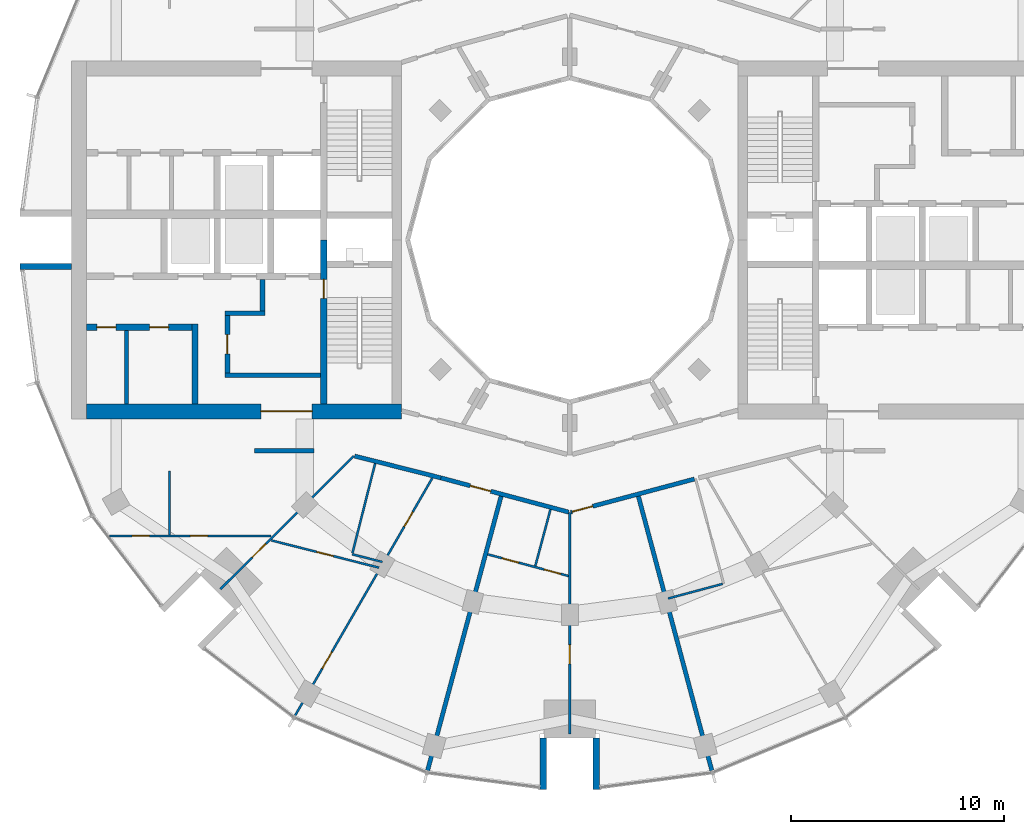
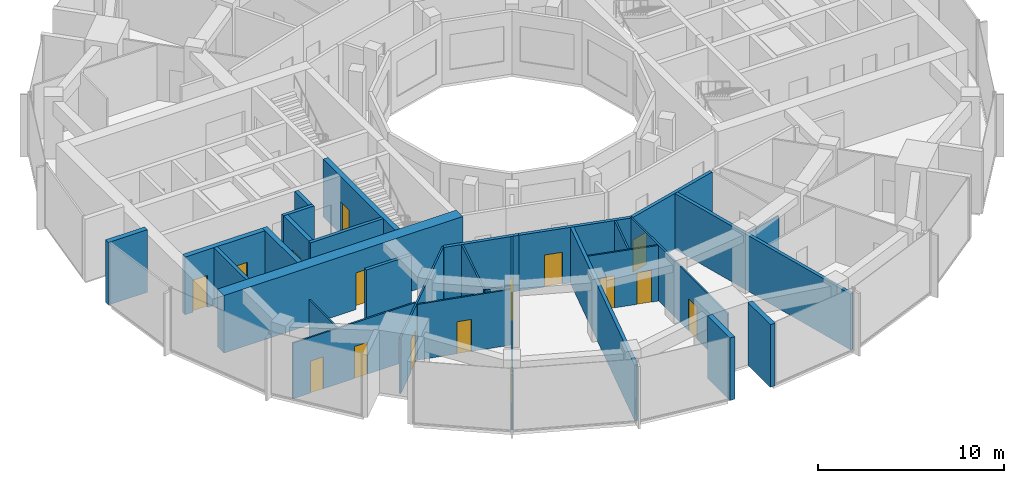
# One storey, part 8 of 15: 29 walls, 16 doors, 16 openings.
"""IFC4 building model written with IfcOpenShell, lengths in metres."""

from ifc_helpers import new_model, si_unit, direction, frame, frame_2d, origin, place, context, subcontext, project, spatial, rectangle, extrude, material, layer, layer_set, type_object, element, fill, save


model = new_model("IFC4")

# Units and contexts
model_context = context("Model", 3, precision=1e-05, world=origin(), true_north=direction((0.0, 1.0)))
body_context = subcontext(model_context, "Body", "Model", "MODEL_VIEW")
ifc_project = project(units=[si_unit("LENGTHUNIT", "METRE"), si_unit("AREAUNIT", "SQUARE_METRE"), si_unit("VOLUMEUNIT", "CUBIC_METRE"), si_unit("PLANEANGLEUNIT", "RADIAN"), si_unit("MASSUNIT", "GRAM", prefix="KILO")], contexts=[model_context])

# Site, building, storey
site_placement = place(None, origin())
site = spatial("IfcSite", under=ifc_project, at=site_placement, CompositionType="ELEMENT")
building_placement = place(site_placement, origin())
building = spatial("IfcBuilding", under=site, at=building_placement, Name="Torre Brocal", CompositionType="ELEMENT")
storey_placement = place(building_placement, frame((0.0, 0.0, 190.5)))
storey = spatial("IfcBuildingStorey", under=building, at=storey_placement, Name="L44", CompositionType="ELEMENT", Elevation=190.5)

# Walls
ifc_material_1 = material(Name="Masonry block", Category="masonry")
ifc_layer_1 = layer(ifc_material_1, 0.199951171875)
ifc_layer_set_1 = layer_set([ifc_layer_1], Name="Masonry block")
wall_type_1 = type_object("IfcWallType", Name="CORE PARTITION 200", PredefinedType="PARTITIONING", material=ifc_layer_set_1)
wall_1_placement = place(storey_placement, frame((59.180908203125, 70.75, 0.0), z_axis=(0.0, 0.0, 1.0), x_axis=(0.0, -1.0, 0.0)))
element("IfcWall", 1, at=wall_1_placement, inside=storey, type_object=wall_type_1, Name="Wall CP200", PredefinedType="PARTITIONING", context=body_context, shape_type="SweptSolid", body=[
    extrude(rectangle(XDim=3.449951171875, YDim=0.199951171875, at=frame_2d((1.72509765625, 0.0))), origin(), (0.0, 0.0, 1.0), 3.780029296875),
])
ifc_material_2 = material(Name="Concrete C70", Category="concrete")
ifc_layer_2 = layer(ifc_material_2, 0.199951171875)
ifc_layer_set_2 = layer_set([ifc_layer_2], Name="Concrete C70")
wall_type_2 = type_object("IfcWallType", Name="CORE WALL 200 C70", PredefinedType="SHEAR", material=ifc_layer_set_2)
wall_2_placement = place(storey_placement, frame((68.300048828125, 68.64990234375, 0.0), z_axis=(0.0, 0.0, 1.0), x_axis=(-1.0, 0.0, 0.0)))
element("IfcWall", 2, at=wall_2_placement, inside=storey, type_object=wall_type_2, Name="Wall CW200-70", PredefinedType="SHEAR", context=body_context, shape_type="SweptSolid", body=[
    extrude(rectangle(XDim=4.5, YDim=0.199951171875, at=frame_2d((2.25, 0.0))), origin(), (0.0, 0.0, 1.0), 3.780029296875),
])
wall_3_placement = place(storey_placement, frame((65.699951171875, 71.550048828125, 0.0), z_axis=(0.0, 0.0, 1.0), x_axis=(-1.0, 0.0, 0.0)))
element("IfcWall", 3, at=wall_3_placement, inside=storey, type_object=wall_type_2, Name="Wall CW200-70", PredefinedType="SHEAR", context=body_context, shape_type="SweptSolid", body=[
    extrude(rectangle(XDim=1.89990234375, YDim=0.199951171875, at=frame_2d((0.949951171875, 0.0))), origin(), (0.0, 0.0, 1.0), 3.780029296875),
])

# Wall, opening, door
ifc_material_3 = material(Name="Concrete C70", Category="concrete")
ifc_layer_3 = layer(ifc_material_3, 0.25)
ifc_layer_set_3 = layer_set([ifc_layer_3], Name="Concrete C70")
wall_type_3 = type_object("IfcWallType", Name="CORE WALL 250 C70", PredefinedType="SHEAR", material=ifc_layer_set_3)
wall_4_placement = place(storey_placement, frame((63.925048828125, 71.449951171875, 0.0), z_axis=(0.0, 0.0, 1.0), x_axis=(0.0, -1.0, 0.0)))
wall_4 = element("IfcWall", 4, at=wall_4_placement, inside=storey, type_object=wall_type_3, Name="Wall CW250-70", PredefinedType="SHEAR", context=body_context, shape_type="SweptSolid", body=[
    extrude(rectangle(XDim=2.699951171875, YDim=0.25, at=frame_2d((1.35009765625, 0.0))), origin(), (0.0, 0.0, 1.0), 3.780029296875),
])
opening_1_placement = place(wall_4_placement, frame((0.89990234375, 0.0, 0.0)))
opening_1 = element("IfcOpeningElement", 5, at=opening_1_placement, cuts=wall_4, Name="Opening W-D08", PredefinedType="OPENING", context=body_context, shape_type="SweptSolid", body=[
    extrude(rectangle(XDim=0.89990234375, YDim=2.10009765625, at=frame_2d((0.449951171875, 1.050048828125))), frame((0.0, 0.135009765625, 0.0), z_axis=(0.0, -1.0, 0.0), x_axis=(1.0, 0.0, 0.0)), (0.0, 0.0, 1.0), 0.27001953125),
])
ifc_material_4 = material(Name="Steel A653", Category="steel")
door_type_1 = type_object("IfcDoorType", Name="LOBBY DOOR FD120 900X2100", OperationType="SINGLE_SWING_RIGHT", PredefinedType="DOOR", material=ifc_material_4)
door_1_placement = place(opening_1_placement, origin())
door_1 = element("IfcDoor", 6, at=door_1_placement, inside=storey, type_object=door_type_1, Name="Door W-D08", OperationType="SINGLE_SWING_LEFT", OverallHeight=2.10009765625, OverallWidth=0.89990234375, PredefinedType="DOOR", context=body_context, shape_type="SweptSolid", body=[
    extrude(rectangle(XDim=0.89990234375, YDim=2.10009765625, at=frame_2d((0.449951171875, 1.050048828125))), frame((0.0, 0.02490234375, 0.0), z_axis=(0.0, -1.0, 0.0), x_axis=(1.0, 0.0, 0.0)), (0.0, 0.0, 1.0), 0.050048828125),
])
fill(opening_1, door_1)

# Wall
wall_5_placement = place(storey_placement, frame((65.574951171875, 73.14990234375, 0.0), z_axis=(0.0, 0.0, 1.0), x_axis=(0.0, -1.0, 0.0)))
element("IfcWall", 7, at=wall_5_placement, inside=storey, type_object=wall_type_3, Name="Wall CW250-70", PredefinedType="SHEAR", context=body_context, shape_type="SweptSolid", body=[
    extrude(rectangle(XDim=1.5, YDim=0.25, at=frame_2d((0.75, 0.0))), origin(), (0.0, 0.0, 1.0), 3.780029296875),
])

# Wall, opening, door
ifc_material_5 = material(Name="Concrete C70", Category="concrete")
ifc_layer_4 = layer(ifc_material_5, 0.300048828125)
ifc_layer_set_4 = layer_set([ifc_layer_4], Name="Concrete C70")
wall_type_4 = type_object("IfcWallType", Name="CORE WALL 300 C70", PredefinedType="SHEAR", material=ifc_layer_set_4)
wall_6_placement = place(storey_placement, frame((68.449951171875, 75.0, 0.0), z_axis=(0.0, 0.0, 1.0), x_axis=(0.0, -1.0, 0.0)))
wall_6 = element("IfcWall", 8, at=wall_6_placement, inside=storey, type_object=wall_type_4, Name="Wall CW300-70", PredefinedType="SHEAR", context=body_context, shape_type="SweptSolid", body=[
    extrude(rectangle(XDim=7.699951171875, YDim=0.300048828125, at=frame_2d((3.85009765625, 0.0))), origin(), (0.0, 0.0, 1.0), 3.780029296875),
])
opening_2_placement = place(wall_6_placement, frame((1.85009765625, 0.0, 0.0)))
opening_2 = element("IfcOpeningElement", 9, at=opening_2_placement, cuts=wall_6, Name="Opening W-D02", PredefinedType="OPENING", context=body_context, shape_type="SweptSolid", body=[
    extrude(rectangle(XDim=0.89990234375, YDim=2.10009765625, at=frame_2d((0.449951171875, 1.050048828125))), frame((0.0, 0.159912109375, 0.0), z_axis=(0.0, -1.0, 0.0), x_axis=(1.0, 0.0, 0.0)), (0.0, 0.0, 1.0), 0.320068359375),
])
ifc_material_6 = material(Name="Steel A653", Category="steel")
door_type_2 = type_object("IfcDoorType", Name="STAIR DOOR FD120 900X2100", OperationType="SINGLE_SWING_RIGHT", PredefinedType="DOOR", material=ifc_material_6)
door_2_placement = place(opening_2_placement, origin())
door_2 = element("IfcDoor", 10, at=door_2_placement, inside=storey, type_object=door_type_2, Name="Door W-D02", OperationType="SINGLE_SWING_LEFT", OverallHeight=2.10009765625, OverallWidth=0.89990234375, PredefinedType="DOOR", context=body_context, shape_type="SweptSolid", body=[
    extrude(rectangle(XDim=0.89990234375, YDim=2.10009765625, at=frame_2d((0.449951171875, 1.050048828125))), frame((0.0, 0.02490234375, 0.0), z_axis=(0.0, -1.0, 0.0), x_axis=(1.0, 0.0, 0.0)), (0.0, 0.0, 1.0), 0.050048828125),
])
fill(opening_2, door_2)

# Wall
wall_7_placement = place(storey_placement, frame((62.39990234375, 71.050048828125, 0.0), z_axis=(0.0, 0.0, 1.0), x_axis=(0.0, -1.0, 0.0)))
element("IfcWall", 11, at=wall_7_placement, inside=storey, type_object=wall_type_4, Name="Wall CW300-70", PredefinedType="SHEAR", context=body_context, shape_type="SweptSolid", body=[
    extrude(rectangle(XDim=3.75, YDim=0.300048828125, at=frame_2d((1.875, 0.0))), origin(), (0.0, 0.0, 1.0), 3.780029296875),
])

# Wall, openings, doors
wall_8_placement = place(storey_placement, frame((62.25, 70.89990234375, 0.0), z_axis=(0.0, 0.0, 1.0), x_axis=(-1.0, 0.0, 0.0)))
wall_8 = element("IfcWall", 12, at=wall_8_placement, inside=storey, type_object=wall_type_4, Name="Wall CW300-70", PredefinedType="SHEAR", context=body_context, shape_type="SweptSolid", body=[
    extrude(rectangle(XDim=4.949951171875, YDim=0.300048828125, at=frame_2d((2.47509765625, 0.0))), origin(), (0.0, 0.0, 1.0), 3.780029296875),
])
opening_3_placement = place(wall_8_placement, frame((1.08447265625, 0.0, 0.0)))
opening_3 = element("IfcOpeningElement", 13, at=opening_3_placement, cuts=wall_8, Name="Opening W-D09", PredefinedType="OPENING", context=body_context, shape_type="SweptSolid", body=[
    extrude(rectangle(XDim=0.89990234375, YDim=2.10009765625, at=frame_2d((0.449951171875, 1.050048828125))), frame((0.0, 0.159912109375, 0.0), z_axis=(0.0, -1.0, 0.0), x_axis=(1.0, 0.0, 0.0)), (0.0, 0.0, 1.0), 0.320068359375),
])
opening_4_placement = place(wall_8_placement, frame((3.5595703125, 0.0, 0.0)))
opening_4 = element("IfcOpeningElement", 14, at=opening_4_placement, cuts=wall_8, Name="Opening W-D10", PredefinedType="OPENING", context=body_context, shape_type="SweptSolid", body=[
    extrude(rectangle(XDim=0.89990234375, YDim=2.10009765625, at=frame_2d((0.449951171875, 1.050048828125))), frame((0.0, 0.159912109375, 0.0), z_axis=(0.0, -1.0, 0.0), x_axis=(1.0, 0.0, 0.0)), (0.0, 0.0, 1.0), 0.320068359375),
])
ifc_material_7 = material(Name="Steel A653", Category="steel")
door_type_3 = type_object("IfcDoorType", Name="ROOM DOOR FD30S 900X2100", OperationType="SINGLE_SWING_LEFT", PredefinedType="DOOR", material=ifc_material_7)
door_3_placement = place(opening_3_placement, origin())
door_3 = element("IfcDoor", 15, at=door_3_placement, inside=storey, type_object=door_type_3, Name="Door W-D09", OperationType="SINGLE_SWING_RIGHT", OverallHeight=2.10009765625, OverallWidth=0.89990234375, PredefinedType="DOOR", context=body_context, shape_type="SweptSolid", body=[
    extrude(rectangle(XDim=0.89990234375, YDim=2.10009765625, at=frame_2d((0.449951171875, 1.050048828125))), frame((0.0, 0.02490234375, 0.0), z_axis=(0.0, -1.0, 0.0), x_axis=(1.0, 0.0, 0.0)), (0.0, 0.0, 1.0), 0.050048828125),
])
fill(opening_3, door_3)
door_4_placement = place(opening_4_placement, origin())
door_4 = element("IfcDoor", 16, at=door_4_placement, inside=storey, type_object=door_type_3, Name="Door W-D10", OperationType="SINGLE_SWING_LEFT", OverallHeight=2.10009765625, OverallWidth=0.89990234375, PredefinedType="DOOR", context=body_context, shape_type="SweptSolid", body=[
    extrude(rectangle(XDim=0.89990234375, YDim=2.10009765625, at=frame_2d((0.449951171875, 1.050048828125))), frame((0.0, 0.02490234375, 0.0), z_axis=(0.0, -1.0, 0.0), x_axis=(1.0, 0.0, 0.0)), (0.0, 0.0, 1.0), 0.050048828125),
])
fill(opening_4, door_4)

# Wall, opening, door
ifc_material_8 = material(Name="Concrete C70", Category="concrete")
ifc_layer_5 = layer(ifc_material_8, 0.699951171875)
ifc_layer_set_5 = layer_set([ifc_layer_5], Name="Concrete C70")
wall_type_5 = type_object("IfcWallType", Name="CORE WALL 700 C70", PredefinedType="SHEAR", material=ifc_layer_set_5)
wall_9_placement = place(storey_placement, frame((72.10009765625, 66.949951171875, 0.0), z_axis=(0.0, 0.0, 1.0), x_axis=(-1.0, 0.0, 0.0)))
wall_9 = element("IfcWall", 17, at=wall_9_placement, inside=storey, type_object=wall_type_5, Name="Wall CW700-70", PredefinedType="SHEAR", context=body_context, shape_type="SweptSolid", body=[
    extrude(rectangle(XDim=14.800048828125, YDim=0.699951171875, at=frame_2d((7.39990234375, 0.0))), origin(), (0.0, 0.0, 1.0), 3.780029296875),
])
opening_5_placement = place(wall_9_placement, frame((4.199951171875, 0.0, 0.0)))
opening_5 = element("IfcOpeningElement", 18, at=opening_5_placement, cuts=wall_9, Name="Opening W-D34", PredefinedType="OPENING", context=body_context, shape_type="SweptSolid", body=[
    extrude(rectangle(XDim=2.39990234375, YDim=2.39990234375, at=frame_2d((1.199951171875, 1.199951171875))), frame((0.0, 0.35986328125, 0.0), z_axis=(0.0, -1.0, 0.0), x_axis=(1.0, 0.0, 0.0)), (0.0, 0.0, 1.0), 0.719970703125),
])
ifc_material_9 = material(Name="Steel A653", Category="steel")
door_type_4 = type_object("IfcDoorType", Name="DOUBLE FIRE DOOR FD90 2400X2400", OperationType="DOUBLE_DOOR_SINGLE_SWING", PredefinedType="DOOR", material=ifc_material_9)
door_5_placement = place(opening_5_placement, frame((2.39990234375, 0.0, 0.0), z_axis=(0.0, 0.0, 1.0), x_axis=(-1.0, 0.0, 0.0)))
door_5 = element("IfcDoor", 19, at=door_5_placement, inside=storey, type_object=door_type_4, Name="Door W-D34", OperationType="DOUBLE_DOOR_SINGLE_SWING", OverallHeight=2.39990234375, OverallWidth=2.39990234375, PredefinedType="DOOR", context=body_context, shape_type="SweptSolid", body=[
    extrude(rectangle(XDim=2.39990234375, YDim=2.39990234375, at=frame_2d((1.199951171875, 1.199951171875))), frame((0.0, 0.02490234375, 0.0), z_axis=(0.0, -1.0, 0.0), x_axis=(1.0, 0.0, 0.0)), (0.0, 0.0, 1.0), 0.050048828125),
])
fill(opening_5, door_5)

# Walls
ifc_material_10 = material(Name="Concrete C70", Category="concrete")
ifc_layer_6 = layer(ifc_material_10, 0.300048828125)
ifc_layer_set_6 = layer_set([ifc_layer_6], Name="Concrete C70")
wall_type_6 = type_object("IfcWallType", Name="NOTCH RETURN WALL 300 C70", PredefinedType="NOTDEFINED", material=ifc_layer_set_6)
for number, where, z_axis, x_axis, name in (
    (20, (56.60009765625, 73.75, 0.0), (0.0, 0.0, 1.0), (-1.0, 0.0, 0.0), "NOTCH RETURN WALL"),
    (21, (78.75, 51.60009765625, 0.0), (0.0, 0.0, 1.0), (0.0, -1.0, 0.0), "NOTCH RETURN WALL"),
    (22, (81.25, 51.60009765625, 0.0), (0.0, 0.0, 1.0), (0.0, -1.0, 0.0), "NOTCH RETURN WALL"),
):
    element("IfcWall", number, at=place(storey_placement, frame(where, z_axis=z_axis, x_axis=x_axis)), inside=storey, type_object=wall_type_6, Name=name, PredefinedType="NOTDEFINED", context=body_context, shape_type="SweptSolid", body=[
        extrude(rectangle(XDim=2.415771484375, YDim=0.300048828125, at=frame_2d((1.2080078125, 0.0))), origin(), (0.0, 0.0, 1.0), 4.10009765625),
    ])

# Wall, openings, doors
ifc_material_11 = material(Name="Gypsum board", Category="Gypsum")
ifc_layer_7 = layer(ifc_material_11, 0.10009765625)
ifc_layer_set_7 = layer_set([ifc_layer_7], Name="Gypsum board")
wall_type_7 = type_object("IfcWallType", Name="PARTITION 100", PredefinedType="PARTITIONING", material=ifc_layer_set_7)
wall_10_placement = place(storey_placement, frame((58.37890625, 61.10009765625, 0.0), z_axis=(0.0, 0.0, 1.0), x_axis=(1.0, 0.0, 0.0)))
wall_10 = element("IfcWall", 23, at=wall_10_placement, inside=storey, type_object=wall_type_7, Name="BATHROOM WALL", PredefinedType="PARTITIONING", context=body_context, shape_type="SweptSolid", body=[
    extrude(rectangle(XDim=7.60107421875, YDim=0.10009765625, at=frame_2d((3.800537109375, 0.0))), origin(), (0.0, 0.0, 1.0), 3.64990234375),
])
opening_6_placement = place(wall_10_placement, frame((3.81103515625, 0.0, 0.0)))
opening_6 = element("IfcOpeningElement", 24, at=opening_6_placement, cuts=wall_10, Name="Opening R03-D36", PredefinedType="OPENING", context=body_context, shape_type="SweptSolid", body=[
    extrude(rectangle(XDim=0.800048828125, YDim=2.10009765625, at=frame_2d((0.39990234375, 1.050048828125))), frame((0.0, 0.06005859375, 0.0), z_axis=(0.0, -1.0, 0.0), x_axis=(1.0, 0.0, 0.0)), (0.0, 0.0, 1.0), 0.1201171875),
])
opening_7_placement = place(wall_10_placement, frame((1.075439453125, 0.0, 0.0)))
opening_7 = element("IfcOpeningElement", 25, at=opening_7_placement, cuts=wall_10, Name="Opening R03-D37", PredefinedType="OPENING", context=body_context, shape_type="SweptSolid", body=[
    extrude(rectangle(XDim=0.800048828125, YDim=2.10009765625, at=frame_2d((0.39990234375, 1.050048828125))), frame((0.0, 0.06005859375, 0.0), z_axis=(0.0, -1.0, 0.0), x_axis=(1.0, 0.0, 0.0)), (0.0, 0.0, 1.0), 0.1201171875),
])
ifc_material_12 = material(Name="Timber", Category="wood")
door_type_5 = type_object("IfcDoorType", Name="BATHROOM DOOR 800X2100", OperationType="SINGLE_SWING_LEFT", PredefinedType="DOOR", material=ifc_material_12)
door_6_placement = place(opening_6_placement, origin())
door_6 = element("IfcDoor", 26, at=door_6_placement, inside=storey, type_object=door_type_5, Name="R03-D36", OperationType="SINGLE_SWING_LEFT", OverallHeight=2.10009765625, OverallWidth=0.800048828125, PredefinedType="DOOR", context=body_context, shape_type="SweptSolid", body=[
    extrude(rectangle(XDim=0.800048828125, YDim=2.10009765625, at=frame_2d((0.39990234375, 1.050048828125))), frame((0.0, 0.02490234375, 0.0), z_axis=(0.0, -1.0, 0.0), x_axis=(1.0, 0.0, 0.0)), (0.0, 0.0, 1.0), 0.050048828125),
])
fill(opening_6, door_6)
door_7_placement = place(opening_7_placement, frame((0.800048828125, 0.0, 0.0), z_axis=(0.0, 0.0, 1.0), x_axis=(-1.0, 0.0, 0.0)))
door_7 = element("IfcDoor", 27, at=door_7_placement, inside=storey, type_object=door_type_5, Name="R03-D37", OperationType="SINGLE_SWING_RIGHT", OverallHeight=2.10009765625, OverallWidth=0.800048828125, PredefinedType="DOOR", context=body_context, shape_type="SweptSolid", body=[
    extrude(rectangle(XDim=0.800048828125, YDim=2.10009765625, at=frame_2d((0.39990234375, 1.050048828125))), frame((0.0, 0.02490234375, 0.0), z_axis=(0.0, -1.0, 0.0), x_axis=(1.0, 0.0, 0.0)), (0.0, 0.0, 1.0), 0.050048828125),
])
fill(opening_7, door_7)

# Wall
wall_11_placement = place(storey_placement, frame((61.199951171875, 61.14990234375, 0.0), z_axis=(0.0, 0.0, 1.0), x_axis=(0.0, 1.0, 0.0)))
element("IfcWall", 28, at=wall_11_placement, inside=storey, type_object=wall_type_7, Name="BATHROOM WALL", PredefinedType="PARTITIONING", context=body_context, shape_type="SweptSolid", body=[
    extrude(rectangle(XDim=2.9951171875, YDim=0.10009765625, at=frame_2d((1.49755859375, 0.0))), origin(), (0.0, 0.0, 1.0), 3.64990234375),
])

# Wall, opening, door
wall_12_placement = place(storey_placement, frame((63.591552734375, 58.599609375, 0.0), z_axis=(0.0, 0.0, 1.0), x_axis=(0.707272108928, 0.706941414781, 0.0)))
wall_12 = element("IfcWall", 29, at=wall_12_placement, inside=storey, type_object=wall_type_7, Name="BATHROOM WALL", PredefinedType="PARTITIONING", context=body_context, shape_type="SweptSolid", body=[
    extrude(rectangle(XDim=8.859130859375, YDim=0.10009765625, at=frame_2d((4.4296875, 0.0))), origin(), (0.0, 0.0, 1.0), 3.64990234375),
])
opening_8_placement = place(wall_12_placement, frame((2.11083984375, 0.0, 0.0)))
opening_8 = element("IfcOpeningElement", 30, at=opening_8_placement, cuts=wall_12, Name="Opening R03-D35", PredefinedType="OPENING", context=body_context, shape_type="SweptSolid", body=[
    extrude(rectangle(XDim=0.89990234375, YDim=2.10009765625, at=frame_2d((0.449951171875, 1.050048828125))), frame((0.0, 0.06005859375, 0.0), z_axis=(0.0, -1.0, 0.0), x_axis=(1.0, 0.0, 0.0)), (0.0, 0.0, 1.0), 0.1201171875),
])
ifc_material_13 = material(Name="Timber", Category="wood")
door_type_6 = type_object("IfcDoorType", Name="ROOM DOOR 900X2100", OperationType="SINGLE_SWING_LEFT", PredefinedType="DOOR", material=ifc_material_13)
door_8_placement = place(opening_8_placement, origin())
door_8 = element("IfcDoor", 31, at=door_8_placement, inside=storey, type_object=door_type_6, Name="R03-D35", OperationType="SINGLE_SWING_LEFT", OverallHeight=2.10009765625, OverallWidth=0.89990234375, PredefinedType="DOOR", context=body_context, shape_type="SweptSolid", body=[
    extrude(rectangle(XDim=0.89990234375, YDim=2.10009765625, at=frame_2d((0.449951171875, 1.050048828125))), frame((0.0, 0.02490234375, 0.0), z_axis=(0.0, -1.0, 0.0), x_axis=(1.0, 0.0, 0.0)), (0.0, 0.0, 1.0), 0.050048828125),
])
fill(opening_8, door_8)

wall_13_placement = place(storey_placement, frame((65.986572265625, 60.889404296875, 0.0), z_axis=(0.0, 0.0, 1.0), x_axis=(0.969431303535, -0.245362889871, 0.0)))
wall_13 = element("IfcWall", 32, at=wall_13_placement, inside=storey, type_object=wall_type_7, Name="BATHROOM WALL", PredefinedType="PARTITIONING", context=body_context, shape_type="SweptSolid", body=[
    extrude(rectangle(XDim=5.219970703125, YDim=0.10009765625, at=frame_2d((2.60986328125, 0.0))), origin(), (0.0, 0.0, 1.0), 3.64990234375),
])
opening_9_placement = place(wall_13_placement, frame((2.199951171875, 0.0, 0.0)))
opening_9 = element("IfcOpeningElement", 33, at=opening_9_placement, cuts=wall_13, Name="Opening R03-D33", PredefinedType="OPENING", context=body_context, shape_type="SweptSolid", body=[
    extrude(rectangle(XDim=0.800048828125, YDim=2.10009765625, at=frame_2d((0.39990234375, 1.050048828125))), frame((0.0, 0.06005859375, 0.0), z_axis=(0.0, -1.0, 0.0), x_axis=(1.0, 0.0, 0.0)), (0.0, 0.0, 1.0), 0.1201171875),
])
door_9_placement = place(opening_9_placement, origin())
door_9 = element("IfcDoor", 34, at=door_9_placement, inside=storey, type_object=door_type_5, Name="R03-D33", OperationType="SINGLE_SWING_RIGHT", OverallHeight=2.10009765625, OverallWidth=0.800048828125, PredefinedType="DOOR", context=body_context, shape_type="SweptSolid", body=[
    extrude(rectangle(XDim=0.800048828125, YDim=2.10009765625, at=frame_2d((0.39990234375, 1.050048828125))), frame((0.0, 0.02490234375, 0.0), z_axis=(0.0, -1.0, 0.0), x_axis=(1.0, 0.0, 0.0)), (0.0, 0.0, 1.0), 0.050048828125),
])
fill(opening_9, door_9)

# Wall, openings, doors
wall_14_placement = place(storey_placement, frame((67.099365234375, 52.65966796875, 0.0), z_axis=(0.0, 0.0, 1.0), x_axis=(0.500286442712, 0.865859962834, 0.0)))
wall_14 = element("IfcWall", 35, at=wall_14_placement, inside=storey, type_object=wall_type_7, Name="BATHROOM WALL", PredefinedType="PARTITIONING", context=body_context, shape_type="SweptSolid", body=[
    extrude(rectangle(XDim=12.87646484375, YDim=0.10009765625, at=frame_2d((6.438232421875, 0.0))), origin(), (0.0, 0.0, 1.0), 3.64990234375),
])
opening_10_placement = place(wall_14_placement, frame((2.555908203125, 0.0, 0.0)))
opening_10 = element("IfcOpeningElement", 36, at=opening_10_placement, cuts=wall_14, Name="Opening R03-D32", PredefinedType="OPENING", context=body_context, shape_type="SweptSolid", body=[
    extrude(rectangle(XDim=0.89990234375, YDim=2.10009765625, at=frame_2d((0.449951171875, 1.050048828125))), frame((0.0, 0.06005859375, 0.0), z_axis=(0.0, -1.0, 0.0), x_axis=(1.0, 0.0, 0.0)), (0.0, 0.0, 1.0), 0.1201171875),
])
opening_11_placement = place(wall_14_placement, frame((10.247802734375, 0.0, 0.0)))
opening_11 = element("IfcOpeningElement", 37, at=opening_11_placement, cuts=wall_14, Name="Opening R03-D34", PredefinedType="OPENING", context=body_context, shape_type="SweptSolid", body=[
    extrude(rectangle(XDim=0.800048828125, YDim=2.10009765625, at=frame_2d((0.39990234375, 1.050048828125))), frame((0.0, 0.06005859375, 0.0), z_axis=(0.0, -1.0, 0.0), x_axis=(1.0, 0.0, 0.0)), (0.0, 0.0, 1.0), 0.1201171875),
])
door_10_placement = place(opening_11_placement, origin())
door_10 = element("IfcDoor", 38, at=door_10_placement, inside=storey, type_object=door_type_5, Name="R03-D34", OperationType="SINGLE_SWING_RIGHT", OverallHeight=2.10009765625, OverallWidth=0.800048828125, PredefinedType="DOOR", context=body_context, shape_type="SweptSolid", body=[
    extrude(rectangle(XDim=0.800048828125, YDim=2.10009765625, at=frame_2d((0.39990234375, 1.050048828125))), frame((0.0, 0.02490234375, 0.0), z_axis=(0.0, -1.0, 0.0), x_axis=(1.0, 0.0, 0.0)), (0.0, 0.0, 1.0), 0.050048828125),
])
fill(opening_11, door_10)
door_11_placement = place(opening_10_placement, origin())
door_11 = element("IfcDoor", 39, at=door_11_placement, inside=storey, type_object=door_type_6, Name="R03-D32", OperationType="SINGLE_SWING_LEFT", OverallHeight=2.10009765625, OverallWidth=0.89990234375, PredefinedType="DOOR", context=body_context, shape_type="SweptSolid", body=[
    extrude(rectangle(XDim=0.89990234375, YDim=2.10009765625, at=frame_2d((0.449951171875, 1.050048828125))), frame((0.0, 0.02490234375, 0.0), z_axis=(0.0, -1.0, 0.0), x_axis=(1.0, 0.0, 0.0)), (0.0, 0.0, 1.0), 0.050048828125),
])
fill(opening_10, door_11)

# Walls
wall_15_placement = place(storey_placement, frame((69.793212890625, 60.28662109375, 0.0), z_axis=(0.0, 0.0, 1.0), x_axis=(0.245307703654, 0.969445269486, 0.0)))
element("IfcWall", 40, at=wall_15_placement, inside=storey, type_object=wall_type_7, Name="BATHROOM WALL", PredefinedType="PARTITIONING", context=body_context, shape_type="SweptSolid", body=[
    extrude(rectangle(XDim=4.35009765625, YDim=0.10009765625, at=frame_2d((2.175048828125, 0.0))), origin(), (0.0, 0.0, 1.0), 3.64990234375),
])
wall_16_placement = place(storey_placement, frame((69.781005859375, 60.238037109375, 0.0), z_axis=(0.0, 0.0, 1.0), x_axis=(0.969502558328, -0.245081189397, 0.0)))
element("IfcWall", 41, at=wall_16_placement, inside=storey, type_object=wall_type_7, Name="BATHROOM WALL", PredefinedType="PARTITIONING", context=body_context, shape_type="SweptSolid", body=[
    extrude(rectangle(XDim=1.46630859375, YDim=0.10009765625, at=frame_2d((0.733154296875, 0.0))), origin(), (0.0, 0.0, 1.0), 3.64990234375),
])

# Wall, openings, doors
wall_17_placement = place(storey_placement, frame((76.14697265625, 60.234130859375, 0.0), z_axis=(0.0, 0.0, 1.0), x_axis=(0.965925861199, -0.258818914816, 0.0)))
wall_17 = element("IfcWall", 42, at=wall_17_placement, inside=storey, type_object=wall_type_7, Name="BATHROOM WALL", PredefinedType="PARTITIONING", context=body_context, shape_type="SweptSolid", body=[
    extrude(rectangle(XDim=3.9287109375, YDim=0.10009765625, at=frame_2d((1.96435546875, 0.0))), origin(), (0.0, 0.0, 1.0), 3.64990234375),
])
opening_12_placement = place(wall_17_placement, frame((0.699951171875, 0.0, 0.0)))
opening_12 = element("IfcOpeningElement", 43, at=opening_12_placement, cuts=wall_17, Name="Opening R03-D29", PredefinedType="OPENING", context=body_context, shape_type="SweptSolid", body=[
    extrude(rectangle(XDim=0.800048828125, YDim=2.10009765625, at=frame_2d((0.39990234375, 1.050048828125))), frame((0.0, 0.06005859375, 0.0), z_axis=(0.0, -1.0, 0.0), x_axis=(1.0, 0.0, 0.0)), (0.0, 0.0, 1.0), 0.1201171875),
])
opening_13_placement = place(wall_17_placement, frame((2.74462890625, 0.0, 0.0)))
opening_13 = element("IfcOpeningElement", 44, at=opening_13_placement, cuts=wall_17, Name="Opening R03-D30", PredefinedType="OPENING", context=body_context, shape_type="SweptSolid", body=[
    extrude(rectangle(XDim=0.800048828125, YDim=2.10009765625, at=frame_2d((0.39990234375, 1.050048828125))), frame((0.0, 0.06005859375, 0.0), z_axis=(0.0, -1.0, 0.0), x_axis=(1.0, 0.0, 0.0)), (0.0, 0.0, 1.0), 0.1201171875),
])
door_12_placement = place(opening_12_placement, origin())
door_12 = element("IfcDoor", 45, at=door_12_placement, inside=storey, type_object=door_type_5, Name="R03-D29", OperationType="SINGLE_SWING_LEFT", OverallHeight=2.10009765625, OverallWidth=0.800048828125, PredefinedType="DOOR", context=body_context, shape_type="SweptSolid", body=[
    extrude(rectangle(XDim=0.800048828125, YDim=2.10009765625, at=frame_2d((0.39990234375, 1.050048828125))), frame((0.0, 0.02490234375, 0.0), z_axis=(0.0, -1.0, 0.0), x_axis=(1.0, 0.0, 0.0)), (0.0, 0.0, 1.0), 0.050048828125),
])
fill(opening_12, door_12)
door_13_placement = place(opening_13_placement, origin())
door_13 = element("IfcDoor", 46, at=door_13_placement, inside=storey, type_object=door_type_5, Name="R03-D30", OperationType="SINGLE_SWING_RIGHT", OverallHeight=2.10009765625, OverallWidth=0.800048828125, PredefinedType="DOOR", context=body_context, shape_type="SweptSolid", body=[
    extrude(rectangle(XDim=0.800048828125, YDim=2.10009765625, at=frame_2d((0.39990234375, 1.050048828125))), frame((0.0, 0.02490234375, 0.0), z_axis=(0.0, -1.0, 0.0), x_axis=(1.0, 0.0, 0.0)), (0.0, 0.0, 1.0), 0.050048828125),
])
fill(opening_13, door_13)

# Wall
wall_18_placement = place(storey_placement, frame((78.3818359375, 59.687255859375, 0.0), z_axis=(0.0, 0.0, 1.0), x_axis=(0.258629573817, 0.965976575051, 0.0)))
element("IfcWall", 47, at=wall_18_placement, inside=storey, type_object=wall_type_7, Name="BATHROOM WALL", PredefinedType="PARTITIONING", context=body_context, shape_type="SweptSolid", body=[
    extrude(rectangle(XDim=2.749755859375, YDim=0.10009765625, at=frame_2d((1.375, 0.0))), origin(), (0.0, 0.0, 1.0), 3.64990234375),
])

# Wall, opening, door
wall_19_placement = place(storey_placement, frame((80.0, 51.800048828125, 0.0), z_axis=(0.0, 0.0, 1.0), x_axis=(0.0, 1.0, 0.0)))
wall_19 = element("IfcWall", 48, at=wall_19_placement, inside=storey, type_object=wall_type_7, Name="BATHROOM WALL", PredefinedType="PARTITIONING", context=body_context, shape_type="SweptSolid", body=[
    extrude(rectangle(XDim=10.404052734375, YDim=0.10009765625, at=frame_2d((5.2021484375, 0.0))), origin(), (0.0, 0.0, 1.0), 3.64990234375),
])
opening_14_placement = place(wall_19_placement, frame((3.285888671875, 0.0, 0.0)))
opening_14 = element("IfcOpeningElement", 49, at=opening_14_placement, cuts=wall_19, Name="Opening R03-D28", PredefinedType="OPENING", context=body_context, shape_type="SweptSolid", body=[
    extrude(rectangle(XDim=0.89990234375, YDim=2.10009765625, at=frame_2d((0.449951171875, 1.050048828125))), frame((0.0, 0.06005859375, 0.0), z_axis=(0.0, -1.0, 0.0), x_axis=(1.0, 0.0, 0.0)), (0.0, 0.0, 1.0), 0.1201171875),
])
door_14_placement = place(opening_14_placement, origin())
door_14 = element("IfcDoor", 50, at=door_14_placement, inside=storey, type_object=door_type_6, Name="R03-D28", OperationType="SINGLE_SWING_LEFT", OverallHeight=2.10009765625, OverallWidth=0.89990234375, PredefinedType="DOOR", context=body_context, shape_type="SweptSolid", body=[
    extrude(rectangle(XDim=0.89990234375, YDim=2.10009765625, at=frame_2d((0.449951171875, 1.050048828125))), frame((0.0, 0.02490234375, 0.0), z_axis=(0.0, -1.0, 0.0), x_axis=(1.0, 0.0, 0.0)), (0.0, 0.0, 1.0), 0.050048828125),
])
fill(opening_14, door_14)

# Walls
ifc_material_14 = material(Name="Gypsum board", Category="Gypsum")
ifc_layer_8 = layer(ifc_material_14, 0.10009765625)
ifc_layer_set_8 = layer_set([ifc_layer_8], Name="Gypsum board")
wall_type_8 = type_object("IfcWallType", Name="PARTITION 100 UNDER BEAM 820", PredefinedType="PARTITIONING", material=ifc_layer_set_8)
wall_20_placement = place(storey_placement, frame((84.615478515625, 58.160888671875, 0.0), z_axis=(0.0, 0.0, 1.0), x_axis=(0.965902408875, 0.258906424273, 0.0)))
element("IfcWall", 51, at=wall_20_placement, inside=storey, type_object=wall_type_8, Name="BATHROOM WALL", PredefinedType="PARTITIONING", context=body_context, shape_type="SweptSolid", body=[
    extrude(rectangle(XDim=2.650634765625, YDim=0.10009765625, at=frame_2d((1.3251953125, 0.0))), origin(), (0.0, 0.0, 1.0), 3.280029296875),
])
ifc_material_15 = material(Name="Gypsum board", Category="Gypsum")
ifc_layer_9 = layer(ifc_material_15, 0.199951171875)
ifc_layer_set_9 = layer_set([ifc_layer_9], Name="Gypsum board")
wall_type_9 = type_object("IfcWallType", Name="PARTITION 200 EI60", PredefinedType="PARTITIONING", material=ifc_layer_set_9)
wall_21_placement = place(storey_placement, frame((65.199951171875, 65.10009765625, 0.0), z_axis=(0.0, 0.0, 1.0), x_axis=(1.0, 0.0, 0.0)))
element("IfcWall", 52, at=wall_21_placement, inside=storey, type_object=wall_type_9, Name="GUESTROOM CORRIDOR WALL", PredefinedType="PARTITIONING", context=body_context, shape_type="SweptSolid", body=[
    extrude(rectangle(XDim=2.800048828125, YDim=0.199951171875, at=frame_2d((1.39990234375, 0.0))), origin(), (0.0, 0.0, 1.0), 3.64990234375),
])
wall_22_placement = place(storey_placement, frame((69.898681640625, 64.850341796875, 0.0), z_axis=(0.0, 0.0, 1.0), x_axis=(0.969429930153, -0.245368316057, 0.0)))
element("IfcWall", 53, at=wall_22_placement, inside=storey, type_object=wall_type_9, Name="FLAT ENTRANCE WALL", PredefinedType="PARTITIONING", context=body_context, shape_type="SweptSolid", body=[
    extrude(rectangle(XDim=4.176025390625, YDim=0.199951171875, at=frame_2d((2.087890625, 0.0))), origin(), (0.0, 0.0, 1.0), 3.64990234375),
])
wall_23_placement = place(storey_placement, frame((73.322021484375, 50.0810546875, 0.0), z_axis=(0.0, 0.0, 1.0), x_axis=(0.258965725415, 0.965886511481, 0.0)))
element("IfcWall", 54, at=wall_23_placement, inside=storey, type_object=wall_type_9, Name="BATHROOM WALL", PredefinedType="PARTITIONING", context=body_context, shape_type="SweptSolid", body=[
    extrude(rectangle(XDim=13.338134765625, YDim=0.199951171875, at=frame_2d((6.6689453125, 0.0))), origin(), (0.0, 0.0, 1.0), 3.64990234375),
])

# Wall, opening, door
wall_24_placement = place(storey_placement, frame((73.947021484375, 63.826171875, 0.0), z_axis=(0.0, 0.0, 1.0), x_axis=(0.965898432367, -0.258921258979, 0.0)))
wall_24 = element("IfcWall", 55, at=wall_24_placement, inside=storey, type_object=wall_type_9, Name="FLAT ENTRANCE WALL", PredefinedType="PARTITIONING", context=body_context, shape_type="SweptSolid", body=[
    extrude(rectangle(XDim=6.216552734375, YDim=0.199951171875, at=frame_2d((3.1083984375, 0.0))), origin(), (0.0, 0.0, 1.0), 3.64990234375),
])
opening_15_placement = place(wall_24_placement, frame((1.42431640625, 0.0, 0.0)))
opening_15 = element("IfcOpeningElement", 56, at=opening_15_placement, cuts=wall_24, Name="Opening R03-D31", PredefinedType="OPENING", context=body_context, shape_type="SweptSolid", body=[
    extrude(rectangle(XDim=1.0, YDim=2.10009765625, at=frame_2d((0.5, 1.050048828125))), frame((0.0, 0.10986328125, 0.0), z_axis=(0.0, -1.0, 0.0), x_axis=(1.0, 0.0, 0.0)), (0.0, 0.0, 1.0), 0.219970703125),
])
ifc_material_16 = material(Name="Timber", Category="wood")
door_type_7 = type_object("IfcDoorType", Name="FLAT ENTRY DOOR FD30S 1000X2100", OperationType="SINGLE_SWING_RIGHT", PredefinedType="DOOR", material=ifc_material_16)
door_15_placement = place(opening_15_placement, frame((1.0, 0.0, 0.0), z_axis=(0.0, 0.0, 1.0), x_axis=(-1.0, 0.0, 0.0)))
door_15 = element("IfcDoor", 57, at=door_15_placement, inside=storey, type_object=door_type_7, Name="R03-D31", OperationType="SINGLE_SWING_LEFT", OverallHeight=2.10009765625, OverallWidth=1.0, PredefinedType="DOOR", context=body_context, shape_type="SweptSolid", body=[
    extrude(rectangle(XDim=1.0, YDim=2.10009765625, at=frame_2d((0.5, 1.050048828125))), frame((0.0, 0.02490234375, 0.0), z_axis=(0.0, -1.0, 0.0), x_axis=(1.0, 0.0, 0.0)), (0.0, 0.0, 1.0), 0.050048828125),
])
fill(opening_15, door_15)

wall_25_placement = place(storey_placement, frame((80.048095703125, 62.21728515625, 0.0), z_axis=(0.0, 0.0, 1.0), x_axis=(0.965967276872, 0.258664299841, 0.0)))
wall_25 = element("IfcWall", 58, at=wall_25_placement, inside=storey, type_object=wall_type_9, Name="FLAT ENTRANCE WALL", PredefinedType="PARTITIONING", context=body_context, shape_type="SweptSolid", body=[
    extrude(rectangle(XDim=6.006591796875, YDim=0.199951171875, at=frame_2d((3.00341796875, 0.0))), origin(), (0.0, 0.0, 1.0), 3.64990234375),
])
opening_16_placement = place(wall_25_placement, frame((0.06591796875, 0.0, 0.0)))
opening_16 = element("IfcOpeningElement", 59, at=opening_16_placement, cuts=wall_25, Name="Opening R03-D27", PredefinedType="OPENING", context=body_context, shape_type="SweptSolid", body=[
    extrude(rectangle(XDim=1.0, YDim=2.10009765625, at=frame_2d((0.5, 1.050048828125))), frame((0.0, 0.10986328125, 0.0), z_axis=(0.0, -1.0, 0.0), x_axis=(1.0, 0.0, 0.0)), (0.0, 0.0, 1.0), 0.219970703125),
])
door_16_placement = place(opening_16_placement, frame((1.0, 0.0, 0.0), z_axis=(0.0, 0.0, 1.0), x_axis=(-1.0, 0.0, 0.0)))
door_16 = element("IfcDoor", 60, at=door_16_placement, inside=storey, type_object=door_type_7, Name="R03-D27", OperationType="SINGLE_SWING_RIGHT", OverallHeight=2.10009765625, OverallWidth=1.0, PredefinedType="DOOR", context=body_context, shape_type="SweptSolid", body=[
    extrude(rectangle(XDim=1.0, YDim=2.10009765625, at=frame_2d((0.5, 1.050048828125))), frame((0.0, 0.02490234375, 0.0), z_axis=(0.0, -1.0, 0.0), x_axis=(1.0, 0.0, 0.0)), (0.0, 0.0, 1.0), 0.050048828125),
])
fill(opening_16, door_16)

# Wall
wall_26_placement = place(storey_placement, frame((83.22216796875, 62.963623046875, 0.0), z_axis=(0.0, 0.0, 1.0), x_axis=(0.25865252128, -0.965970430829, 0.0)))
element("IfcWall", 61, at=wall_26_placement, inside=storey, type_object=wall_type_9, Name="BATHROOM WALL", PredefinedType="PARTITIONING", context=body_context, shape_type="SweptSolid", body=[
    extrude(rectangle(XDim=13.338134765625, YDim=0.199951171875, at=frame_2d((6.6689453125, 0.0))), origin(), (0.0, 0.0, 1.0), 3.64990234375),
])

save(model, "model.ifc")
